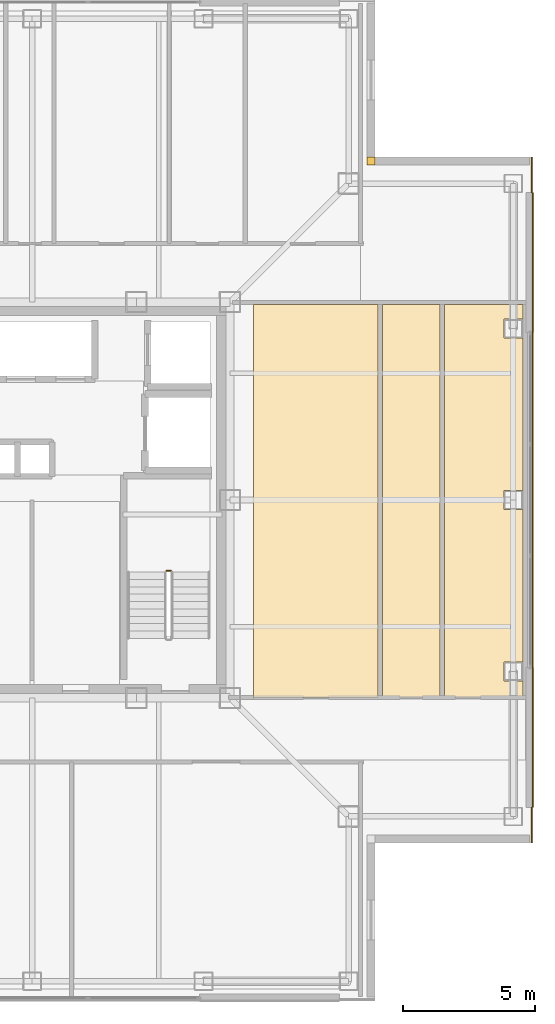
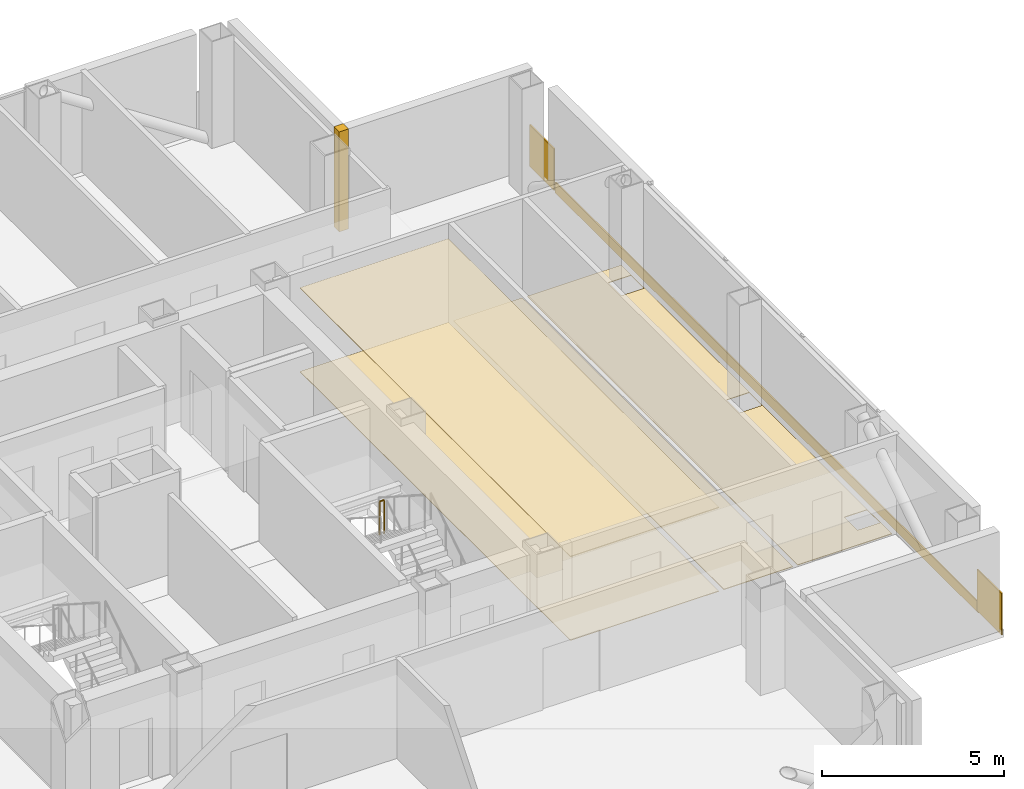
# One storey, part 15 of 16: 8 coverings, 1 railing.
"""IFC4 building model written with IfcOpenShell, lengths in metres."""

from ifc_helpers import new_model, si_unit, direction, frame, frame_2d, origin, origin_2d, place, context, subcontext, project, spatial, polyline, rectangle, circle, outline, extrude, material, layer, layer_set, type_object, element, save


model = new_model("IFC4")

# Units and contexts
model_context = context("Model", 3, precision=1e-05, world=origin(), true_north=direction((0.0, 1.0)))
body_context = subcontext(model_context, "Body", "Model", "MODEL_VIEW")
ifc_project = project(units=[si_unit("LENGTHUNIT", "METRE"), si_unit("AREAUNIT", "SQUARE_METRE"), si_unit("VOLUMEUNIT", "CUBIC_METRE"), si_unit("PLANEANGLEUNIT", "RADIAN"), si_unit("MASSUNIT", "GRAM", prefix="KILO")], contexts=[model_context])

# Site, building, storey
site_placement = place(None, origin())
site = spatial("IfcSite", under=ifc_project, at=site_placement, CompositionType="ELEMENT")
building_placement = place(site_placement, origin())
building = spatial("IfcBuilding", under=site, at=building_placement, Name="Trevonay Congress Spire", CompositionType="ELEMENT")
storey_placement = place(building_placement, frame((0.0, 0.0, 268.39990234375)))
storey = spatial("IfcBuildingStorey", under=building, at=storey_placement, Name="L70", CompositionType="ELEMENT", Elevation=268.39990234375)

# Coverings
ifc_material_1 = material(Name="Acoustic Mineral Fibre Board", Category="gypsum")
ifc_layer_1 = layer(ifc_material_1, 0.02490234375, Name="Acoustic Mineral Fibre Board")
ifc_layer_set_1 = layer_set([ifc_layer_1], Name="Acoustic Mineral Fibre Board")
covering_type_1 = type_object("IfcCoveringType", Name="COV-CEIL-ACOUSTIC", PredefinedType="CEILING", material=ifc_layer_set_1)
covering_1_placement = place(storey_placement, frame((0.0, 0.0, 2.81005859375)))
element("IfcCovering", 1, at=covering_1_placement, inside=storey, type_object=covering_type_1, Name="L70 Curatorial Archive Office acoustic suspended ceiling", PredefinedType="CEILING", context=body_context, shape_type="SweptSolid", body=[
    extrude(outline(polyline([(8.39990234375, -7.47998046875), (13.1201171875, -7.47998046875), (13.1201171875, 7.419921875), (8.39990234375, 7.419921875), (8.39990234375, -7.47998046875)])), origin(), (0.0, 0.0, 1.0), 0.025146484375),
])
ifc_material_2 = material(Name="Polished Granite Floor Tile", Category="masonry")
ifc_layer_2 = layer(ifc_material_2, 0.02001953125, Name="Polished Granite Floor Tile")
ifc_layer_set_2 = layer_set([ifc_layer_2], Name="Polished Granite Floor Tile")
covering_type_2 = type_object("IfcCoveringType", Name="COV-FLOOR-STONE", PredefinedType="FLOORING", material=ifc_layer_set_2)
covering_2_placement = place(storey_placement, origin())
element("IfcCovering", 2, at=covering_2_placement, inside=storey, type_object=covering_type_2, Name="L70 Male Restroom WC floor finish", PredefinedType="FLOORING", context=body_context, shape_type="SweptSolid", body=[
    extrude(outline(polyline([(13.280029296875, -7.47998046875), (15.469970703125, -7.47998046875), (15.469970703125, 7.419921875), (13.280029296875, 7.419921875), (13.280029296875, -7.47998046875)])), origin(), (0.0, 0.0, 1.0), 0.02001953125),
])
covering_3_placement = place(storey_placement, origin())
element("IfcCovering", 3, at=covering_3_placement, inside=storey, type_object=covering_type_2, Name="L70 Floor Supplies and Copy Room floor finish", PredefinedType="FLOORING", context=body_context, shape_type="SweptSolid", body=[
    extrude(outline(polyline([(15.6298828125, 7.419921875), (18.6201171875, 7.419921875), (18.6201171875, -7.47998046875), (15.6298828125, -7.47998046875), (15.6298828125, 7.419921875)]), holes=[polyline([(17.889892578125, -6.860107421875), (18.610107421875, -6.860107421875), (18.610107421875, -6.139892578125), (17.889892578125, -6.139892578125), (17.889892578125, -6.860107421875)]), polyline([(17.889892578125, 0.360107421875), (17.889892578125, -0.360107421875), (18.610107421875, -0.360107421875), (18.610107421875, 0.360107421875), (17.889892578125, 0.360107421875)]), polyline([(17.889892578125, 6.860107421875), (17.889892578125, 6.139892578125), (18.610107421875, 6.139892578125), (18.610107421875, 6.860107421875), (17.889892578125, 6.860107421875)])]), origin(), (0.0, 0.0, 1.0), 0.02001953125),
])
ifc_material_3 = material(Name="Engineered Oak Flooring", Category="wood")
ifc_layer_3 = layer(ifc_material_3, 0.01806640625, Name="Engineered Oak Flooring")
ifc_layer_set_3 = layer_set([ifc_layer_3], Name="Engineered Oak Flooring")
covering_type_3 = type_object("IfcCoveringType", Name="COV-FLOOR-TIMBER", PredefinedType="FLOORING", material=ifc_layer_set_3)
covering_4_placement = place(storey_placement, origin())
element("IfcCovering", 4, at=covering_4_placement, inside=storey, type_object=covering_type_3, Name="L70 Curatorial Archive Office floor finish", PredefinedType="FLOORING", context=body_context, shape_type="SweptSolid", body=[
    extrude(outline(polyline([(8.39990234375, -7.47998046875), (13.1201171875, -7.47998046875), (13.1201171875, 7.419921875), (8.39990234375, 7.419921875), (8.39990234375, -7.47998046875)])), origin(), (0.0, 0.0, 1.0), 0.01806640625),
])
ifc_material_4 = material(Name="Pale Anodised Aluminium EN AW-6063-T6", Category="aluminium")
ifc_layer_4 = layer(ifc_material_4, 0.0400390625, Name="Pale Anodised Aluminium EN AW-6063-T6")
ifc_layer_set_4 = layer_set([ifc_layer_4], Name="Pale Anodised Aluminium EN AW-6063-T6")
covering_type_4 = type_object("IfcCoveringType", Name="COV-SPANDREL-PALE-METAL", PredefinedType="CLADDING", material=ifc_layer_set_4)
covering_5_placement = place(storey_placement, frame((18.97998046875, -11.64990234375, -0.239990234375), z_axis=(0.0, 0.0, 1.0), x_axis=(0.0, 1.0, 0.0)))
element("IfcCovering", 5, at=covering_5_placement, inside=storey, type_object=covering_type_4, Name="L70 E pale-metal slab-edge spandrel cladding", PredefinedType="CLADDING", context=body_context, shape_type="SweptSolid", body=[
    extrude(rectangle(XDim=23.2998046875, YDim=0.0400390625, at=frame_2d((11.64990234375, 0.0))), origin(), (0.0, 0.0, 1.0), 0.360107421875),
])
covering_6_placement = place(storey_placement, frame((18.93994140625, -11.64990234375, -0.14990234375), z_axis=(0.0, 0.0, 1.0), x_axis=(0.0, -1.0, 0.0)))
element("IfcCovering", 6, at=covering_6_placement, inside=storey, type_object=covering_type_4, Name="L70 SE corner pier spandrel cladding 1", PredefinedType="CLADDING", context=body_context, shape_type="SweptSolid", body=[
    extrude(rectangle(XDim=1.35009765625, YDim=0.0400390625, at=frame_2d((0.675048828125, 0.0))), origin(), (0.0, 0.0, 1.0), 1.39990234375),
])
covering_7_placement = place(storey_placement, origin())
element("IfcCovering", 7, at=covering_7_placement, inside=storey, type_object=covering_type_4, Name="L70 NE re-entrant notch corner closure trim", PredefinedType="CLADDING", context=body_context, shape_type="SweptSolid", body=[
    extrude(outline(polyline([(12.699951171875, 12.699951171875), (13.0, 12.699951171875), (13.0, 13.0), (12.699951171875, 13.0), (12.699951171875, 12.699951171875)])), origin(), (0.0, 0.0, 1.0), 3.360107421875),
])
covering_8_placement = place(storey_placement, frame((18.93994140625, 11.64990234375, -0.14990234375), z_axis=(0.0, 0.0, 1.0), x_axis=(0.0, 1.0, 0.0)))
element("IfcCovering", 8, at=covering_8_placement, inside=storey, type_object=covering_type_4, Name="L70 NE corner pier spandrel cladding 1", PredefinedType="CLADDING", context=body_context, shape_type="SweptSolid", body=[
    extrude(rectangle(XDim=1.35009765625, YDim=0.0400390625, at=frame_2d((0.675048828125, 0.0))), origin(), (0.0, 0.0, 1.0), 1.39990234375),
])

# Railing
railing_type = type_object("IfcRailingType", Name="RAL-STAIR-GUARD-110", PredefinedType="GUARDRAIL", material=ifc_material_4)
railing_placement = place(storey_placement, frame((5.25, -2.679931640625, 1.800048828125)))
element("IfcRailing", 9, at=railing_placement, inside=storey, type_object=railing_type, Name="L70 ST-2 stair guard 2", PredefinedType="GUARDRAIL", context=body_context, shape_type="SweptSolid", body=[
    extrude(circle(Radius=0.02392578125, at=origin_2d()), frame((0.0, 0.0, 1.1259765625), z_axis=(-1.0, 0.0, 0.0), x_axis=(0.0, -1.0, 0.0)), (0.0, 0.0, 1.0), 0.14990234375),
    extrude(circle(Radius=0.02099609375, at=origin_2d()), origin(), (0.0, 0.0, 1.0), 1.101806640625),
    extrude(circle(Radius=0.02099609375, at=origin_2d()), frame((-0.14990234375, 0.0, 0.0)), (0.0, 0.0, 1.0), 1.101806640625),
])

save(model, "model.ifc")
